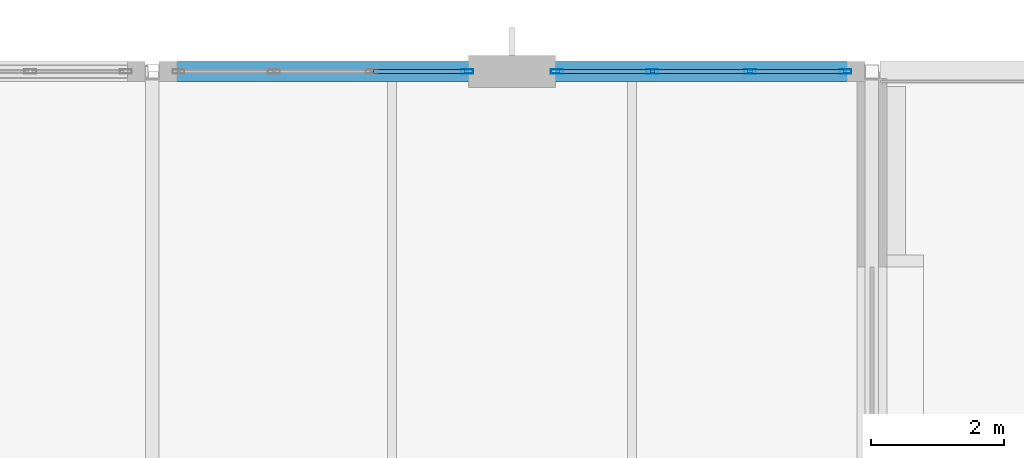
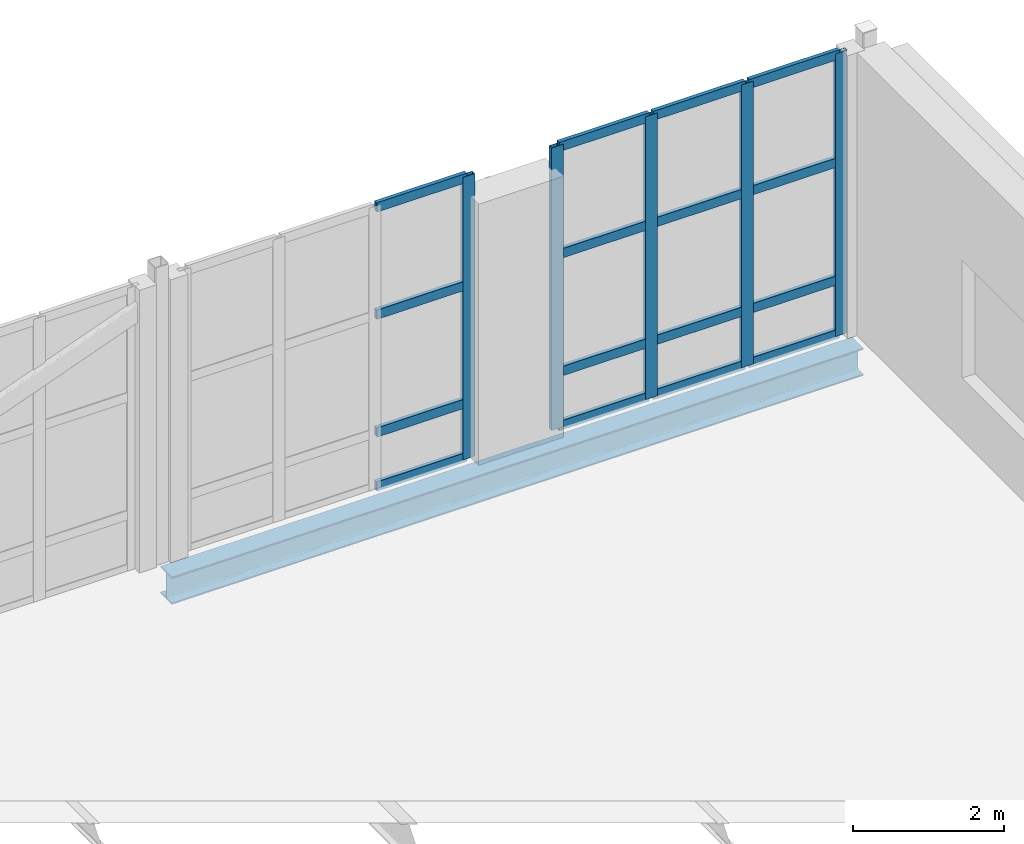
# One storey, part 54 of 86: 21 members, 1 beam, 2 elements without a shape of their own.
"""IFC4 building model written with IfcOpenShell, lengths in metres."""

from ifc_helpers import new_model, si_unit, direction, frame, origin, origin_2d, place, context, subcontext, project, spatial, hollow_rectangle, i_section, extrude, material, layer, layer_set, material_profile, profile_set, type_object, element, aggregate, save


model = new_model("IFC4")

# Units and contexts
model_context = context("Model", 3, precision=1e-05, world=origin(), true_north=direction((0.0, 1.0)))
body_context = subcontext(model_context, "Body", "Model", "MODEL_VIEW")
ifc_project = project(units=[si_unit("LENGTHUNIT", "METRE"), si_unit("AREAUNIT", "SQUARE_METRE"), si_unit("VOLUMEUNIT", "CUBIC_METRE"), si_unit("PLANEANGLEUNIT", "RADIAN"), si_unit("MASSUNIT", "GRAM", prefix="KILO")], contexts=[model_context])

# Site, building, storey
site_placement = place(None, origin())
site = spatial("IfcSite", under=ifc_project, at=site_placement, CompositionType="ELEMENT")
building_placement = place(site_placement, origin())
building = spatial("IfcBuilding", under=site, at=building_placement, Name="Tasgan Crest Museum", CompositionType="ELEMENT")
storey_placement = place(building_placement, frame((0.0, 0.0, 24.0)))
storey = spatial("IfcBuildingStorey", under=building, at=storey_placement, Name="L04", CompositionType="ELEMENT", Elevation=24.0)

# Beam
ifc_material_1 = material(Name="Steel S355J2", Category="steel")
ifc_material_profile_1 = material_profile(ifc_material_1, i_section(OverallWidth=0.300048828125, OverallDepth=0.43994140625, WebThickness=0.011474609375, FlangeThickness=0.02099609375, FilletRadius=0.027099609375, at=origin_2d()), Name="HEA 450")
ifc_profile_set_1 = profile_set([ifc_material_profile_1], Name="Steel S355J2")
beam_type = type_object("IfcBeamType", Name="BM-G-HEA450", PredefinedType="BEAM", material=ifc_profile_set_1)
beam_placement = place(storey_placement, frame((75.72607421875, 112.0, -0.4599609375), z_axis=(1.0, 0.0, 0.0), x_axis=(0.0, 1.0, 0.0)))
element("IfcBeam", 1, at=beam_placement, inside=storey, type_object=beam_type, Name="Girder L04 M 75.6-86.4", PredefinedType="BEAM", context=body_context, shape_type="SweptSolid", body=[
    extrude(i_section(OverallWidth=0.300048828125, OverallDepth=0.43994140625, WebThickness=0.011474609375, FlangeThickness=0.02099609375, FilletRadius=0.027099609375, at=origin_2d()), origin(), (0.0, 0.0, 1.0), 10.5478515625),
])

# Curtain wall, members
ifc_material_2 = material(Name="Triple-Glazed Aluminium Curtain Wall", Category="aluminium")
ifc_layer = layer(ifc_material_2, 0.179931640625, Name="CW-GAL-X-48")
ifc_layer_set = layer_set([ifc_layer], Name="Triple-Glazed Aluminium Curtain Wall")
curtain_wall_type = type_object("IfcCurtainWallType", Name="CW-GAL-X-48", PredefinedType="NOTDEFINED", material=ifc_layer_set)
curtain_wall_1_placement = place(storey_placement, origin())
curtain_wall_1 = element("IfcCurtainWall", 2, at=curtain_wall_1_placement, inside=storey, type_object=curtain_wall_type, Name="Curtain wall L04 159", PredefinedType="NOTDEFINED")
ifc_material_3 = material(Name="Anodised Aluminium", Category="aluminium")
ifc_material_profile_2 = material_profile(ifc_material_3, hollow_rectangle(XDim=0.06494140625, YDim=0.179931640625, WallThickness=0.0048828125, at=origin_2d()), Name="ALU MULLION 180x65x5")
ifc_profile_set_2 = profile_set([ifc_material_profile_2], Name="Anodised Aluminium")
member_type_1 = type_object("IfcMemberType", Name="CW-MULLION-180", PredefinedType="MULLION", material=ifc_profile_set_2)
member_1_placement = place(storey_placement, frame((86.0048828125, 112.0, 0.0), z_axis=(0.0, 0.0, 1.0), x_axis=(0.0, -1.0, 0.0)))
member_1 = element("IfcMember", 3, at=member_1_placement, type_object=member_type_1, Name="CW13 mullion 1", PredefinedType="MULLION", context=body_context, shape_type="SweptSolid", body=[
    extrude(hollow_rectangle(XDim=0.06494140625, YDim=0.179931640625, WallThickness=0.0048828125, at=origin_2d()), origin(), (0.0, 0.0, 1.0), 4.56005859375),
])
member_2_placement = place(storey_placement, frame((84.57177734375, 112.0, 0.0), z_axis=(0.0, 0.0, 1.0), x_axis=(0.0, -1.0, 0.0)))
member_2 = element("IfcMember", 4, at=member_2_placement, type_object=member_type_1, Name="CW13 mullion 2", PredefinedType="MULLION", context=body_context, shape_type="SweptSolid", body=[
    extrude(hollow_rectangle(XDim=0.06494140625, YDim=0.179931640625, WallThickness=0.0048828125, at=origin_2d()), origin(), (0.0, 0.0, 1.0), 4.56005859375),
])
member_3_placement = place(storey_placement, frame((83.1083984375, 112.0, 0.0), z_axis=(0.0, 0.0, 1.0), x_axis=(0.0, -1.0, 0.0)))
member_3 = element("IfcMember", 5, at=member_3_placement, type_object=member_type_1, Name="CW13 mullion 3", PredefinedType="MULLION", context=body_context, shape_type="SweptSolid", body=[
    extrude(hollow_rectangle(XDim=0.06494140625, YDim=0.179931640625, WallThickness=0.0048828125, at=origin_2d()), origin(), (0.0, 0.0, 1.0), 4.56005859375),
])
member_4_placement = place(storey_placement, frame((81.675048828125, 112.0, 0.0), z_axis=(0.0, 0.0, 1.0), x_axis=(0.0, -1.0, 0.0)))
member_4 = element("IfcMember", 6, at=member_4_placement, type_object=member_type_1, Name="CW13 mullion 4", PredefinedType="MULLION", context=body_context, shape_type="SweptSolid", body=[
    extrude(hollow_rectangle(XDim=0.06494140625, YDim=0.179931640625, WallThickness=0.0048828125, at=origin_2d()), origin(), (0.0, 0.0, 1.0), 4.56005859375),
])

# Curtain wall, member
curtain_wall_2_placement = place(storey_placement, origin())
curtain_wall_2 = element("IfcCurtainWall", 7, at=curtain_wall_2_placement, inside=storey, type_object=curtain_wall_type, Name="Curtain wall L04 160", PredefinedType="NOTDEFINED")
member_5_placement = place(storey_placement, frame((80.324951171875, 112.0, 0.0), z_axis=(0.0, 0.0, 1.0), x_axis=(0.0, -1.0, 0.0)))
member_5 = element("IfcMember", 8, at=member_5_placement, type_object=member_type_1, Name="CW13 mullion 1", PredefinedType="MULLION", context=body_context, shape_type="SweptSolid", body=[
    extrude(hollow_rectangle(XDim=0.06494140625, YDim=0.179931640625, WallThickness=0.0048828125, at=origin_2d()), origin(), (0.0, 0.0, 1.0), 4.56005859375),
])

# Member
ifc_material_4 = material(Name="Anodised Aluminium", Category="aluminium")
ifc_material_profile_3 = material_profile(ifc_material_4, hollow_rectangle(XDim=0.06005859375, YDim=0.14990234375, WallThickness=0.0048828125, at=origin_2d()), Name="ALU TRANSOM 150x60x5")
ifc_profile_set_3 = profile_set([ifc_material_profile_3], Name="Anodised Aluminium")
member_type_2 = type_object("IfcMemberType", Name="CW-TRANSOM-150", PredefinedType="USERDEFINED", material=ifc_profile_set_3)
member_6_placement = place(storey_placement, frame((85.97509765625, 112.0, 0.030029296875), z_axis=(-1.0, 0.0, 0.0), x_axis=(0.0, -1.0, 0.0)))
member_6 = element("IfcMember", 9, at=member_6_placement, type_object=member_type_2, Name="CW13 transom 1.1", ObjectType="TRANSOM", PredefinedType="USERDEFINED", context=body_context, shape_type="SweptSolid", body=[
    extrude(hollow_rectangle(XDim=0.06005859375, YDim=0.14990234375, WallThickness=0.0048828125, at=origin_2d()), origin(), (0.0, 0.0, 1.0), 1.37353515625),
])

member_7_placement = place(storey_placement, frame((85.97509765625, 112.0, 0.89990234375), z_axis=(-1.0, 0.0, 0.0), x_axis=(0.0, -1.0, 0.0)))
member_7 = element("IfcMember", 10, at=member_7_placement, type_object=member_type_2, Name="CW13 transom 1.2", ObjectType="TRANSOM", PredefinedType="USERDEFINED", context=body_context, shape_type="SweptSolid", body=[
    extrude(hollow_rectangle(XDim=0.06005859375, YDim=0.14990234375, WallThickness=0.0048828125, at=origin_2d()), origin(), (0.0, 0.0, 1.0), 1.37353515625),
])

member_8_placement = place(storey_placement, frame((85.97509765625, 112.0, 2.800048828125), z_axis=(-1.0, 0.0, 0.0), x_axis=(0.0, -1.0, 0.0)))
member_8 = element("IfcMember", 11, at=member_8_placement, type_object=member_type_2, Name="CW13 transom 1.3", ObjectType="TRANSOM", PredefinedType="USERDEFINED", context=body_context, shape_type="SweptSolid", body=[
    extrude(hollow_rectangle(XDim=0.06005859375, YDim=0.14990234375, WallThickness=0.0048828125, at=origin_2d()), origin(), (0.0, 0.0, 1.0), 1.37353515625),
])

member_9_placement = place(storey_placement, frame((85.97509765625, 112.0, 4.530029296875), z_axis=(-1.0, 0.0, 0.0), x_axis=(0.0, -1.0, 0.0)))
member_9 = element("IfcMember", 12, at=member_9_placement, type_object=member_type_2, Name="CW13 transom 1.4", ObjectType="TRANSOM", PredefinedType="USERDEFINED", context=body_context, shape_type="SweptSolid", body=[
    extrude(hollow_rectangle(XDim=0.06005859375, YDim=0.14990234375, WallThickness=0.0048828125, at=origin_2d()), origin(), (0.0, 0.0, 1.0), 1.37353515625),
])

member_10_placement = place(storey_placement, frame((84.541748046875, 112.0, 0.030029296875), z_axis=(-1.0, 0.0, 0.0), x_axis=(0.0, -1.0, 0.0)))
member_10 = element("IfcMember", 13, at=member_10_placement, type_object=member_type_2, Name="CW13 transom 2.1", ObjectType="TRANSOM", PredefinedType="USERDEFINED", context=body_context, shape_type="SweptSolid", body=[
    extrude(hollow_rectangle(XDim=0.06005859375, YDim=0.14990234375, WallThickness=0.0048828125, at=origin_2d()), origin(), (0.0, 0.0, 1.0), 1.4033203125),
])

member_11_placement = place(storey_placement, frame((84.541748046875, 112.0, 0.89990234375), z_axis=(-1.0, 0.0, 0.0), x_axis=(0.0, -1.0, 0.0)))
member_11 = element("IfcMember", 14, at=member_11_placement, type_object=member_type_2, Name="CW13 transom 2.2", ObjectType="TRANSOM", PredefinedType="USERDEFINED", context=body_context, shape_type="SweptSolid", body=[
    extrude(hollow_rectangle(XDim=0.06005859375, YDim=0.14990234375, WallThickness=0.0048828125, at=origin_2d()), origin(), (0.0, 0.0, 1.0), 1.4033203125),
])

member_12_placement = place(storey_placement, frame((84.541748046875, 112.0, 2.800048828125), z_axis=(-1.0, 0.0, 0.0), x_axis=(0.0, -1.0, 0.0)))
member_12 = element("IfcMember", 15, at=member_12_placement, type_object=member_type_2, Name="CW13 transom 2.3", ObjectType="TRANSOM", PredefinedType="USERDEFINED", context=body_context, shape_type="SweptSolid", body=[
    extrude(hollow_rectangle(XDim=0.06005859375, YDim=0.14990234375, WallThickness=0.0048828125, at=origin_2d()), origin(), (0.0, 0.0, 1.0), 1.4033203125),
])

member_13_placement = place(storey_placement, frame((84.541748046875, 112.0, 4.530029296875), z_axis=(-1.0, 0.0, 0.0), x_axis=(0.0, -1.0, 0.0)))
member_13 = element("IfcMember", 16, at=member_13_placement, type_object=member_type_2, Name="CW13 transom 2.4", ObjectType="TRANSOM", PredefinedType="USERDEFINED", context=body_context, shape_type="SweptSolid", body=[
    extrude(hollow_rectangle(XDim=0.06005859375, YDim=0.14990234375, WallThickness=0.0048828125, at=origin_2d()), origin(), (0.0, 0.0, 1.0), 1.4033203125),
])

member_14_placement = place(storey_placement, frame((83.078369140625, 112.0, 0.030029296875), z_axis=(-1.0, 0.0, 0.0), x_axis=(0.0, -1.0, 0.0)))
member_14 = element("IfcMember", 17, at=member_14_placement, type_object=member_type_2, Name="CW13 transom 3.1", ObjectType="TRANSOM", PredefinedType="USERDEFINED", context=body_context, shape_type="SweptSolid", body=[
    extrude(hollow_rectangle(XDim=0.06005859375, YDim=0.14990234375, WallThickness=0.0048828125, at=origin_2d()), origin(), (0.0, 0.0, 1.0), 1.373291015625),
])

member_15_placement = place(storey_placement, frame((83.078369140625, 112.0, 0.89990234375), z_axis=(-1.0, 0.0, 0.0), x_axis=(0.0, -1.0, 0.0)))
member_15 = element("IfcMember", 18, at=member_15_placement, type_object=member_type_2, Name="CW13 transom 3.2", ObjectType="TRANSOM", PredefinedType="USERDEFINED", context=body_context, shape_type="SweptSolid", body=[
    extrude(hollow_rectangle(XDim=0.06005859375, YDim=0.14990234375, WallThickness=0.0048828125, at=origin_2d()), origin(), (0.0, 0.0, 1.0), 1.373291015625),
])

member_16_placement = place(storey_placement, frame((83.078369140625, 112.0, 2.800048828125), z_axis=(-1.0, 0.0, 0.0), x_axis=(0.0, -1.0, 0.0)))
member_16 = element("IfcMember", 19, at=member_16_placement, type_object=member_type_2, Name="CW13 transom 3.3", ObjectType="TRANSOM", PredefinedType="USERDEFINED", context=body_context, shape_type="SweptSolid", body=[
    extrude(hollow_rectangle(XDim=0.06005859375, YDim=0.14990234375, WallThickness=0.0048828125, at=origin_2d()), origin(), (0.0, 0.0, 1.0), 1.373291015625),
])

member_17_placement = place(storey_placement, frame((83.078369140625, 112.0, 4.530029296875), z_axis=(-1.0, 0.0, 0.0), x_axis=(0.0, -1.0, 0.0)))
member_17 = element("IfcMember", 20, at=member_17_placement, type_object=member_type_2, Name="CW13 transom 3.4", ObjectType="TRANSOM", PredefinedType="USERDEFINED", context=body_context, shape_type="SweptSolid", body=[
    extrude(hollow_rectangle(XDim=0.06005859375, YDim=0.14990234375, WallThickness=0.0048828125, at=origin_2d()), origin(), (0.0, 0.0, 1.0), 1.373291015625),
])

aggregate(curtain_wall_1, [member_1, member_2, member_3, member_4, member_6, member_7, member_8, member_9, member_10, member_11, member_12, member_13, member_14, member_15, member_16, member_17])

member_18_placement = place(storey_placement, frame((80.294921875, 112.0, 0.030029296875), z_axis=(-1.0, 0.0, 0.0), x_axis=(0.0, -1.0, 0.0)))
member_18 = element("IfcMember", 21, at=member_18_placement, type_object=member_type_2, Name="CW13 transom 1.1", ObjectType="TRANSOM", PredefinedType="USERDEFINED", context=body_context, shape_type="SweptSolid", body=[
    extrude(hollow_rectangle(XDim=0.06005859375, YDim=0.14990234375, WallThickness=0.0048828125, at=origin_2d()), origin(), (0.0, 0.0, 1.0), 1.373291015625),
])

member_19_placement = place(storey_placement, frame((80.294921875, 112.0, 0.89990234375), z_axis=(-1.0, 0.0, 0.0), x_axis=(0.0, -1.0, 0.0)))
member_19 = element("IfcMember", 22, at=member_19_placement, type_object=member_type_2, Name="CW13 transom 1.2", ObjectType="TRANSOM", PredefinedType="USERDEFINED", context=body_context, shape_type="SweptSolid", body=[
    extrude(hollow_rectangle(XDim=0.06005859375, YDim=0.14990234375, WallThickness=0.0048828125, at=origin_2d()), origin(), (0.0, 0.0, 1.0), 1.373291015625),
])

member_20_placement = place(storey_placement, frame((80.294921875, 112.0, 2.800048828125), z_axis=(-1.0, 0.0, 0.0), x_axis=(0.0, -1.0, 0.0)))
member_20 = element("IfcMember", 23, at=member_20_placement, type_object=member_type_2, Name="CW13 transom 1.3", ObjectType="TRANSOM", PredefinedType="USERDEFINED", context=body_context, shape_type="SweptSolid", body=[
    extrude(hollow_rectangle(XDim=0.06005859375, YDim=0.14990234375, WallThickness=0.0048828125, at=origin_2d()), origin(), (0.0, 0.0, 1.0), 1.373291015625),
])

member_21_placement = place(storey_placement, frame((80.294921875, 112.0, 4.530029296875), z_axis=(-1.0, 0.0, 0.0), x_axis=(0.0, -1.0, 0.0)))
member_21 = element("IfcMember", 24, at=member_21_placement, type_object=member_type_2, Name="CW13 transom 1.4", ObjectType="TRANSOM", PredefinedType="USERDEFINED", context=body_context, shape_type="SweptSolid", body=[
    extrude(hollow_rectangle(XDim=0.06005859375, YDim=0.14990234375, WallThickness=0.0048828125, at=origin_2d()), origin(), (0.0, 0.0, 1.0), 1.373291015625),
])

aggregate(curtain_wall_2, [member_5, member_18, member_19, member_20, member_21])

save(model, "model.ifc")
